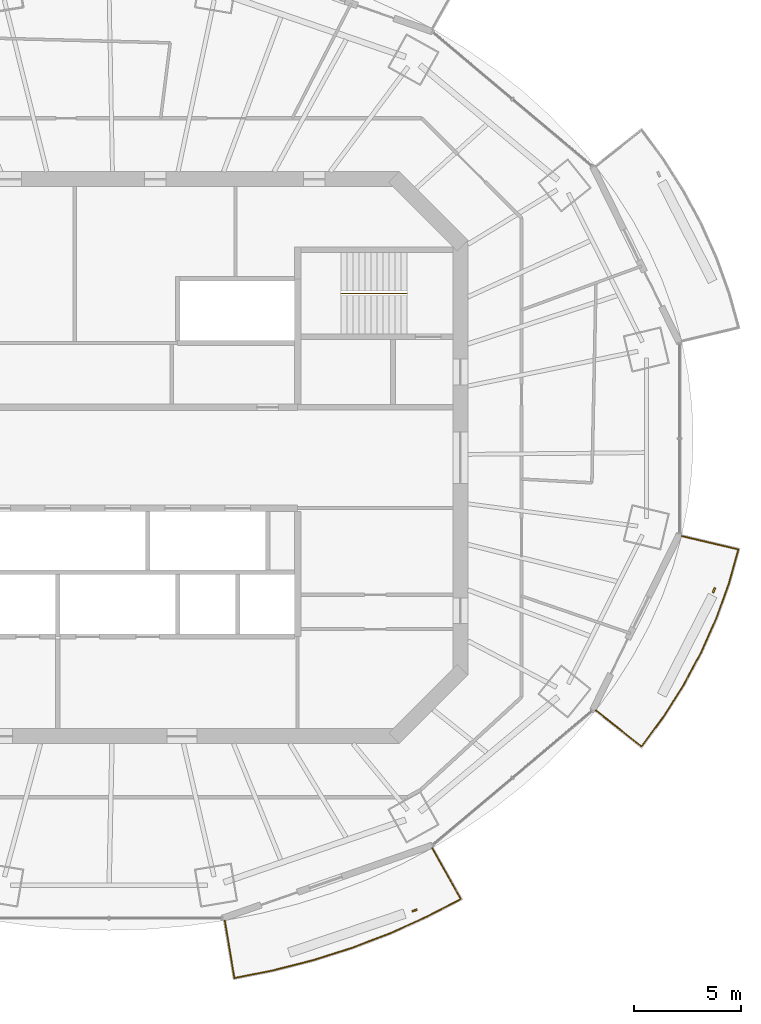
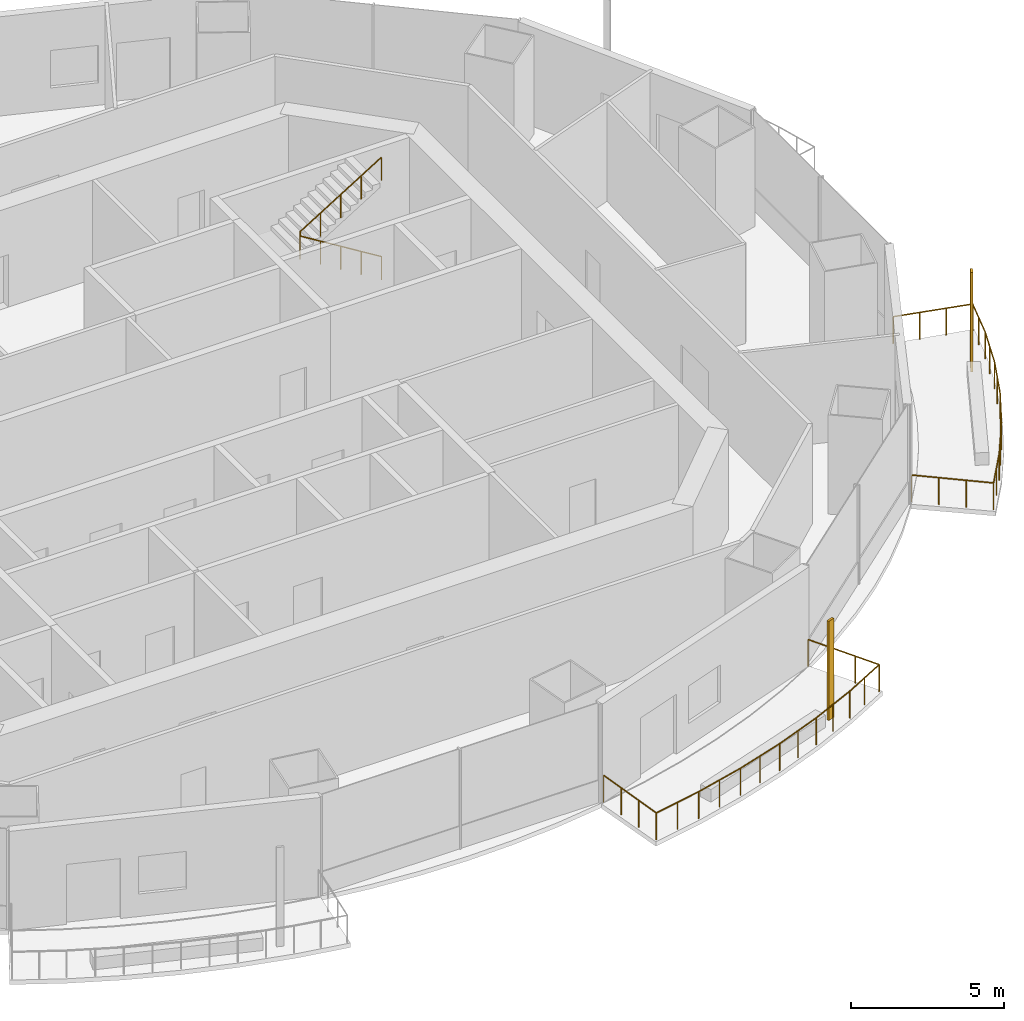
# One storey, part 13 of 16: 3 railings, 2 shading devices.
"""IFC4 building model written with IfcOpenShell, lengths in metres."""

import ifcopenshell
import ifcopenshell.guid

model = None  # the IFC model being written
_history = None  # IfcOwnerHistory: only IFC2X3 demands one
_inside = {}  # id of a spatial element -> (the spatial element, [elements in it])
_under = {}  # id of a project, library or spatial element -> (it, [spatial elements below it])
_declared = {}  # id of a project -> (the project, [libraries it declares])
_typed = {}  # id of a type object -> (the type object, [elements of that type])
_made_of = {}  # id of a material, layer set ... -> (it, [elements and type objects made of it])


def new_model(schema):
    """Start an empty IFC model of exactly this schema.

    Asked for "IFC4X3", IfcOpenShell would pick the latest addendum, in which some entities
    have other attributes; the version numbers below select the first issue.
    IFC2X3 requires an IfcOwnerHistory on every rooted entity: one is made here for all.
    """
    global model, _history
    if schema == "IFC4X3":
        model = ifcopenshell.file(schema_version=(4, 3, 0, 0))
    else:
        model = ifcopenshell.file(schema=schema)
    _inside.clear()
    _under.clear()
    _declared.clear()
    _typed.clear()
    _made_of.clear()
    _history = None
    if model.schema == "IFC2X3":
        org = make("IfcOrganization", Name="unknown")
        user = make(
            "IfcPersonAndOrganization",
            ThePerson=make("IfcPerson", FamilyName="unknown"),
            TheOrganization=org,
        )
        app = make(
            "IfcApplication",
            ApplicationDeveloper=org,
            Version="unknown",
            ApplicationFullName="unknown",
            ApplicationIdentifier="unknown",
        )
        _history = make(
            "IfcOwnerHistory",
            OwningUser=user,
            OwningApplication=app,
            ChangeAction="ADDED",
            CreationDate=0,
        )
    return model


def make(cls, **values):
    """One entity of the class cls with the attributes given. An attribute that is None is left unset."""
    return model.create_entity(
        cls, **{name: value for name, value in values.items() if value is not None}
    )


def rooted(cls, **values):
    """An entity with a GlobalId (a new one), such as an element, a storey or a relation."""
    return make(cls, GlobalId=ifcopenshell.guid.new(), OwnerHistory=_history, **values)


def si_unit(unit_type, name, prefix=None):
    """IfcSIUnit, for example si_unit("LENGTHUNIT", "METRE", prefix="MILLI")."""
    return make("IfcSIUnit", UnitType=unit_type, Prefix=prefix, Name=name)


def assignment(units):
    """IfcUnitAssignment: the units of a project."""
    return None if units is None else make("IfcUnitAssignment", Units=units)


def point(xyz):
    """IfcCartesianPoint."""
    return None if xyz is None else make("IfcCartesianPoint", Coordinates=xyz)


def direction(xyz):
    """IfcDirection."""
    return None if xyz is None else make("IfcDirection", DirectionRatios=xyz)


def frame(location, z_axis=None, x_axis=None):
    """IfcAxis2Placement3D, a coordinate frame: its origin and axes. An axis left out is left unset."""
    return make(
        "IfcAxis2Placement3D",
        Location=point(location),
        Axis=direction(z_axis),
        RefDirection=direction(x_axis),
    )


def frame_2d(location, x_axis=None):
    """IfcAxis2Placement2D, a coordinate frame in the plane: its origin and x axis."""
    return make(
        "IfcAxis2Placement2D", Location=point(location), RefDirection=direction(x_axis)
    )


def origin():
    """The frame at (0, 0, 0) with its axes left unset."""
    return frame((0.0, 0.0, 0.0))


def origin_2d():
    """The frame at (0, 0) in the plane with its x axis left unset."""
    return frame_2d((0.0, 0.0))


def place(relative_to, where):
    """IfcLocalPlacement: puts the frame where relative to a parent placement (None: the world)."""
    return make(
        "IfcLocalPlacement", PlacementRelTo=relative_to, RelativePlacement=where
    )


def context(
    kind, dimensions, precision=None, world=None, true_north=None, identifier=None
):
    """IfcGeometricRepresentationContext, for example the 3D "Model" context."""
    return make(
        "IfcGeometricRepresentationContext",
        ContextIdentifier=identifier,
        ContextType=kind,
        CoordinateSpaceDimension=dimensions,
        Precision=precision,
        WorldCoordinateSystem=world,
        TrueNorth=true_north,
    )


def subcontext(parent, identifier, kind, view, scale=None):
    """IfcGeometricRepresentationSubContext, for example "Body" below "Model"."""
    return make(
        "IfcGeometricRepresentationSubContext",
        ContextIdentifier=identifier,
        ContextType=kind,
        ParentContext=parent,
        TargetScale=scale,
        TargetView=view,
    )


def project(units=None, contexts=None):
    """IfcProject with its units and contexts."""
    return rooted(
        "IfcProject",
        Name="project",
        RepresentationContexts=contexts,
        UnitsInContext=assignment(units),
    )


def spatial(cls, under=None, at=None, **own):
    """A site, building, storey or space (cls), placed at a placement, below another one or the project."""
    s = rooted(cls, ObjectPlacement=at, **own)
    if under is not None:
        _under.setdefault(under.id(), (under, []))[1].append(s)
    return s


def profile(cls, at=None, kind="AREA", **sizes):
    """A parametric profile (cls). Its sizes go by their IFC names, for example OverallWidth=200.0."""
    return make(cls, ProfileType=kind, Position=at, **sizes)


def rectangle(**sizes):
    """IfcRectangleProfileDef."""
    return profile("IfcRectangleProfileDef", **sizes)


def circle(**sizes):
    """IfcCircleProfileDef."""
    return profile("IfcCircleProfileDef", **sizes)


def extrude(swept, where, along, depth):
    """IfcExtrudedAreaSolid: the profile swept, set in the frame where, extruded along a direction by depth."""
    return make(
        "IfcExtrudedAreaSolid",
        SweptArea=swept,
        Position=where,
        ExtrudedDirection=direction(along),
        Depth=depth,
    )


def shape(context_of_items, identifier, shape_type, items):
    """IfcShapeRepresentation: the items that make up one representation, for example the "Body"."""
    return make(
        "IfcShapeRepresentation",
        ContextOfItems=context_of_items,
        RepresentationIdentifier=identifier,
        RepresentationType=shape_type,
        Items=items,
    )


def material(Name=None, Category=None):
    """IfcMaterial."""
    return make("IfcMaterial", Name=Name, Category=Category)


def material_profile(
    of_material, cross_section, Name=None, Category=None, Priority=None
):
    """IfcMaterialProfile: a cross section and its material."""
    return make(
        "IfcMaterialProfile",
        Name=Name,
        Material=of_material,
        Profile=cross_section,
        Priority=Priority,
        Category=Category,
    )


def profile_set(profiles, Name=None, composite=None):
    """IfcMaterialProfileSet."""
    return make(
        "IfcMaterialProfileSet",
        Name=Name,
        MaterialProfiles=profiles,
        CompositeProfile=composite,
    )


def made_of(thing, what):
    """Note that an element or type object is made of a material, layer set ...; save() writes the relation."""
    if what is not None:
        _made_of.setdefault(what.id(), (what, []))[1].append(thing)
    return thing


def type_object(cls, material=None, **own):
    """A type object (cls), such as IfcWallType, which elements share."""
    return made_of(rooted(cls, **own), material)


def element(
    cls,
    number,
    at=None,
    inside=None,
    cuts=None,
    type_object=None,
    material=None,
    context=None,
    identifier="Body",
    shape_type=None,
    held_by="IfcProductDefinitionShape",
    body=None,
    shapes=None,
    **own,
):
    """One element of the class cls, such as IfcWall. Its Tag is "e" and its number.

    at: its placement. inside: the storey or other place that contains it. cuts: it is an
    opening in that element (IfcRelVoidsElement). A single representation is given by context,
    identifier, shape_type and body (its items); several are given by shapes. held_by: the class
    of the entity that holds the representations. save() writes the other relations.
    """
    e = rooted(cls, Tag="e%d" % number, ObjectPlacement=at, **own)
    if body is not None:
        shapes = [shape(context, identifier, shape_type, body)]
    if shapes is not None:
        e.Representation = make(held_by, Representations=shapes)
    if inside is not None:
        _inside.setdefault(inside.id(), (inside, []))[1].append(e)
    if cuts is not None:
        rooted(
            "IfcRelVoidsElement", RelatingBuildingElement=cuts, RelatedOpeningElement=e
        )
    if type_object is not None:
        _typed.setdefault(type_object.id(), (type_object, []))[1].append(e)
    return made_of(e, material)


def aggregate(whole, parts):
    """IfcRelAggregates: a whole, such as a stair, and the parts it consists of."""
    return rooted("IfcRelAggregates", RelatingObject=whole, RelatedObjects=parts)


def save(model, path):
    """Write the relations noted so far, then the file.

    IfcRelAggregates (storeys below a building ...), IfcRelContainedInSpatialStructure (elements
    in a storey), IfcRelDefinesByType, IfcRelAssociatesMaterial and IfcRelDeclares: one each for
    every whole, place, type object, material and project.
    """
    for whole, parts in _under.values():
        aggregate(whole, parts)
    for where, things in _inside.values():
        rooted(
            "IfcRelContainedInSpatialStructure",
            RelatedElements=things,
            RelatingStructure=where,
        )
    for kind, things in _typed.values():
        rooted("IfcRelDefinesByType", RelatedObjects=things, RelatingType=kind)
    for what, things in _made_of.values():
        rooted("IfcRelAssociatesMaterial", RelatedObjects=things, RelatingMaterial=what)
    for by, libraries in _declared.values():
        rooted("IfcRelDeclares", RelatingContext=by, RelatedDefinitions=libraries)
    model.write(path)


model = new_model("IFC4")

# Units and contexts
model_context = context("Model", 3, precision=1e-05, world=origin(), true_north=direction((0.0, 1.0)))
body_context = subcontext(model_context, "Body", "Model", "MODEL_VIEW")
ifc_project = project(units=[si_unit("LENGTHUNIT", "METRE"), si_unit("AREAUNIT", "SQUARE_METRE"), si_unit("VOLUMEUNIT", "CUBIC_METRE"), si_unit("PLANEANGLEUNIT", "RADIAN"), si_unit("MASSUNIT", "GRAM", prefix="KILO")], contexts=[model_context])

# Site, building, storey
site_placement = place(None, origin())
site = spatial("IfcSite", under=ifc_project, at=site_placement, CompositionType="ELEMENT")
building_placement = place(site_placement, origin())
building = spatial("IfcBuilding", under=site, at=building_placement, Name="Marenthal Gate Tower", CompositionType="ELEMENT")
storey_placement = place(building_placement, frame((0.0, 0.0, 342.60009765625)))
storey = spatial("IfcBuildingStorey", under=building, at=storey_placement, Name="L77", CompositionType="ELEMENT", Elevation=342.60009765625)

# Railings
ifc_material_1 = material(Name="Stainless steel", Category="steel")
railing_type_1 = type_object("IfcRailingType", Name="Balcony guard 1100", PredefinedType="GUARDRAIL", material=ifc_material_1)
railing_1_placement = place(storey_placement, frame((14.68017578125, -18.2314453125, 0.0)))
element("IfcRailing", 1, at=railing_1_placement, inside=storey, type_object=railing_type_1, Name="Balcony guard L77 bay 13", PredefinedType="GUARDRAIL", context=body_context, shape_type="SweptSolid", body=[
    extrude(circle(Radius=0.02392578125, at=origin_2d()), frame((0.0, 0.0, 1.076171875), z_axis=(0.490672529522, -0.87121972637, -0.014719278369), x_axis=(0.871314119703, 0.490725692018, 0.0)), (0.0, 0.0, 1.0), 2.72021484375),
    extrude(circle(Radius=0.02392578125, at=origin_2d()), frame((1.334716796875, -2.369873046875, 1.0361328125), z_axis=(-0.886478038646, -0.462770663503, 0.0), x_axis=(0.462770663503, -0.886478038646, 0.0)), (0.0, 0.0, 1.0), 1.793701171875),
    extrude(circle(Radius=0.02392578125, at=origin_2d()), frame((-0.25537109375, -3.199951171875, 1.0361328125), z_axis=(-0.91188517307, -0.410445405792, 0.0), x_axis=(0.410445405792, -0.91188517307, 0.0)), (0.0, 0.0, 1.0), 1.88623046875),
    extrude(circle(Radius=0.02392578125, at=origin_2d()), frame((-1.975341796875, -3.97412109375, 1.0361328125), z_axis=(-0.934293977025, -0.356503526623, 0.0), x_axis=(0.356503526623, -0.934293977025, 0.0)), (0.0, 0.0, 1.0), 1.897705078125),
    extrude(circle(Radius=0.02392578125, at=origin_2d()), frame((-3.748291015625, -4.650634765625, 1.0361328125), z_axis=(-0.953251321023, -0.302178620963, 0.0), x_axis=(0.302178620963, -0.953251321023, 0.0)), (0.0, 0.0, 1.0), 1.907470703125),
    extrude(circle(Radius=0.02392578125, at=origin_2d()), frame((-5.566650390625, -5.22705078125, 1.0361328125), z_axis=(-0.968878064997, -0.247538472096, 0.0), x_axis=(0.247538472096, -0.968878064997, 0.0)), (0.0, 0.0, 1.0), 1.916259765625),
    extrude(circle(Radius=0.02392578125, at=origin_2d()), frame((-7.42333984375, -5.701416015625, 1.0361328125), z_axis=(-0.9810465399, -0.193772254337, 0.0), x_axis=(0.193772254337, -0.9810465399, 0.0)), (0.0, 0.0, 1.0), 1.84326171875),
    extrude(circle(Radius=0.02392578125, at=origin_2d()), frame((-9.231689453125, -6.05859375, 1.0361328125), z_axis=(-0.165327157968, 0.986128927578, 0.014719681817), x_axis=(-0.986235776742, -0.165345071517, 0.0)), (0.0, 0.0, 1.0), 2.72021484375),
    extrude(circle(Radius=0.02099609375, at=origin_2d()), origin(), (0.0, 0.0, 1.0), 1.052001953125),
    extrude(circle(Radius=0.02099609375, at=origin_2d()), frame((0.44482421875, -0.7900390625, -0.013427734375)), (0.0, 0.0, 1.0), 1.052001953125),
    extrude(circle(Radius=0.02099609375, at=origin_2d()), frame((0.889892578125, -1.579833984375, -0.026611328125)), (0.0, 0.0, 1.0), 1.052001953125),
    extrude(circle(Radius=0.02099609375, at=origin_2d()), frame((1.334716796875, -2.369873046875, -0.0400390625)), (0.0, 0.0, 1.0), 1.052001953125),
    extrude(circle(Radius=0.02099609375, at=origin_2d()), frame((0.53955078125, -2.784912109375, -0.0400390625)), (0.0, 0.0, 1.0), 1.052001953125),
    extrude(circle(Radius=0.02099609375, at=origin_2d()), frame((-0.25537109375, -3.199951171875, -0.0400390625)), (0.0, 0.0, 1.0), 1.052001953125),
    extrude(circle(Radius=0.02099609375, at=origin_2d()), frame((-1.115234375, -3.5869140625, -0.0400390625)), (0.0, 0.0, 1.0), 1.052001953125),
    extrude(circle(Radius=0.02099609375, at=origin_2d()), frame((-1.975341796875, -3.97412109375, -0.0400390625)), (0.0, 0.0, 1.0), 1.052001953125),
    extrude(circle(Radius=0.02099609375, at=origin_2d()), frame((-2.86181640625, -4.3125, -0.0400390625)), (0.0, 0.0, 1.0), 1.052001953125),
    extrude(circle(Radius=0.02099609375, at=origin_2d()), frame((-3.748291015625, -4.650634765625, -0.0400390625)), (0.0, 0.0, 1.0), 1.052001953125),
    extrude(circle(Radius=0.02099609375, at=origin_2d()), frame((-4.657470703125, -4.93896484375, -0.0400390625)), (0.0, 0.0, 1.0), 1.052001953125),
    extrude(circle(Radius=0.02099609375, at=origin_2d()), frame((-5.566650390625, -5.22705078125, -0.0400390625)), (0.0, 0.0, 1.0), 1.052001953125),
    extrude(circle(Radius=0.02099609375, at=origin_2d()), frame((-6.4951171875, -5.46435546875, -0.0400390625)), (0.0, 0.0, 1.0), 1.052001953125),
    extrude(circle(Radius=0.02099609375, at=origin_2d()), frame((-7.42333984375, -5.701416015625, -0.0400390625)), (0.0, 0.0, 1.0), 1.052001953125),
    extrude(circle(Radius=0.02099609375, at=origin_2d()), frame((-8.32763671875, -5.8798828125, -0.0400390625)), (0.0, 0.0, 1.0), 1.052001953125),
    extrude(circle(Radius=0.02099609375, at=origin_2d()), frame((-9.231689453125, -6.05859375, -0.0400390625)), (0.0, 0.0, 1.0), 1.052001953125),
    extrude(circle(Radius=0.02099609375, at=origin_2d()), frame((-9.381591796875, -5.16455078125, -0.026611328125)), (0.0, 0.0, 1.0), 1.052001953125),
    extrude(circle(Radius=0.02099609375, at=origin_2d()), frame((-9.531494140625, -4.270263671875, -0.013427734375)), (0.0, 0.0, 1.0), 1.052001953125),
    extrude(circle(Radius=0.02099609375, at=origin_2d()), frame((-9.681396484375, -3.376220703125, 0.0)), (0.0, 0.0, 1.0), 1.052001953125),
])
railing_2_placement = place(storey_placement, frame((26.32666015625, -3.657470703125, 0.0)))
element("IfcRailing", 2, at=railing_2_placement, inside=storey, type_object=railing_type_1, Name="Balcony guard L77 bay 15", PredefinedType="GUARDRAIL", context=body_context, shape_type="SweptSolid", body=[
    extrude(circle(Radius=0.02392578125, at=origin_2d()), frame((0.0, 0.0, 1.076171875), z_axis=(0.97315730439, -0.229669790827, -0.014718970573), x_axis=(0.229694673631, 0.973262737859, 0.0)), (0.0, 0.0, 1.0), 2.72021484375),
    extrude(circle(Radius=0.02392578125, at=origin_2d()), frame((2.647216796875, -0.624755859375, 1.0361328125), z_axis=(-0.268600452735, -0.963251678841, 0.0), x_axis=(0.963251678841, -0.268600452735, 0.0)), (0.0, 0.0, 1.0), 1.645263671875),
    extrude(circle(Radius=0.02392578125, at=origin_2d()), frame((2.205322265625, -2.20947265625, 1.0361328125), z_axis=(-0.338924060667, -0.940813733478, 0.0), x_axis=(0.940813733478, -0.338924060667, 0.0)), (0.0, 0.0, 1.0), 1.732421875),
    extrude(circle(Radius=0.02392578125, at=origin_2d()), frame((1.6181640625, -3.83935546875, 1.0361328125), z_axis=(-0.40786794588, -0.91304092938, 0.0), x_axis=(0.91304092938, -0.40786794588, 0.0)), (0.0, 0.0, 1.0), 1.7412109375),
    extrude(circle(Radius=0.02392578125, at=origin_2d()), frame((0.907958984375, -5.42919921875, 1.0361328125), z_axis=(-0.473825554, -0.880618728155, 0.0), x_axis=(0.880618728155, -0.473825554, 0.0)), (0.0, 0.0, 1.0), 1.751953125),
    extrude(circle(Radius=0.02392578125, at=origin_2d()), frame((0.077880859375, -6.971923828125, 1.0361328125), z_axis=(-0.53589847601, -0.844282431068, 0.0), x_axis=(0.844282431068, -0.53589847601, 0.0)), (0.0, 0.0, 1.0), 1.76318359375),
    extrude(circle(Radius=0.02392578125, at=origin_2d()), frame((-0.866943359375, -8.46044921875, 1.0361328125), z_axis=(-0.592673479354, -0.805442826569, 0.0), x_axis=(0.805442826569, -0.592673479354, 0.0)), (0.0, 0.0, 1.0), 1.69580078125),
    extrude(circle(Radius=0.02392578125, at=origin_2d()), frame((-1.8720703125, -9.826416015625, 1.0361328125), z_axis=(-0.783613159988, 0.621074684128, 0.014719111011), x_axis=(-0.621141973669, -0.783698059553, 0.0)), (0.0, 0.0, 1.0), 2.72021484375),
    extrude(circle(Radius=0.02099609375, at=origin_2d()), origin(), (0.0, 0.0, 1.0), 1.052001953125),
    extrude(circle(Radius=0.02099609375, at=origin_2d()), frame((0.88232421875, -0.208251953125, -0.013427734375)), (0.0, 0.0, 1.0), 1.052001953125),
    extrude(circle(Radius=0.02099609375, at=origin_2d()), frame((1.764892578125, -0.41650390625, -0.026611328125)), (0.0, 0.0, 1.0), 1.052001953125),
    extrude(circle(Radius=0.02099609375, at=origin_2d()), frame((2.647216796875, -0.624755859375, -0.0400390625)), (0.0, 0.0, 1.0), 1.052001953125),
    extrude(circle(Radius=0.02099609375, at=origin_2d()), frame((2.42626953125, -1.4169921875, -0.0400390625)), (0.0, 0.0, 1.0), 1.052001953125),
    extrude(circle(Radius=0.02099609375, at=origin_2d()), frame((2.205322265625, -2.20947265625, -0.0400390625)), (0.0, 0.0, 1.0), 1.052001953125),
    extrude(circle(Radius=0.02099609375, at=origin_2d()), frame((1.91162109375, -3.0244140625, -0.0400390625)), (0.0, 0.0, 1.0), 1.052001953125),
    extrude(circle(Radius=0.02099609375, at=origin_2d()), frame((1.6181640625, -3.83935546875, -0.0400390625)), (0.0, 0.0, 1.0), 1.052001953125),
    extrude(circle(Radius=0.02099609375, at=origin_2d()), frame((1.26318359375, -4.63427734375, -0.0400390625)), (0.0, 0.0, 1.0), 1.052001953125),
    extrude(circle(Radius=0.02099609375, at=origin_2d()), frame((0.907958984375, -5.42919921875, -0.0400390625)), (0.0, 0.0, 1.0), 1.052001953125),
    extrude(circle(Radius=0.02099609375, at=origin_2d()), frame((0.492919921875, -6.20068359375, -0.0400390625)), (0.0, 0.0, 1.0), 1.052001953125),
    extrude(circle(Radius=0.02099609375, at=origin_2d()), frame((0.077880859375, -6.971923828125, -0.0400390625)), (0.0, 0.0, 1.0), 1.052001953125),
    extrude(circle(Radius=0.02099609375, at=origin_2d()), frame((-0.39453125, -7.71630859375, -0.0400390625)), (0.0, 0.0, 1.0), 1.052001953125),
    extrude(circle(Radius=0.02099609375, at=origin_2d()), frame((-0.866943359375, -8.46044921875, -0.0400390625)), (0.0, 0.0, 1.0), 1.052001953125),
    extrude(circle(Radius=0.02099609375, at=origin_2d()), frame((-1.36962890625, -9.1435546875, -0.0400390625)), (0.0, 0.0, 1.0), 1.052001953125),
    extrude(circle(Radius=0.02099609375, at=origin_2d()), frame((-1.8720703125, -9.826416015625, -0.0400390625)), (0.0, 0.0, 1.0), 1.052001953125),
    extrude(circle(Radius=0.02099609375, at=origin_2d()), frame((-2.58251953125, -9.26318359375, -0.026611328125)), (0.0, 0.0, 1.0), 1.052001953125),
    extrude(circle(Radius=0.02099609375, at=origin_2d()), frame((-3.293212890625, -8.7001953125, -0.013427734375)), (0.0, 0.0, 1.0), 1.052001953125),
    extrude(circle(Radius=0.02099609375, at=origin_2d()), frame((-4.003662109375, -8.136962890625, 0.0)), (0.0, 0.0, 1.0), 1.052001953125),
])
ifc_material_2 = material(Name="Stainless steel", Category="steel")
railing_type_2 = type_object("IfcRailingType", Name="Stair handrail", PredefinedType="HANDRAIL", material=ifc_material_2)
railing_3_placement = place(storey_placement, frame((13.5, 7.675048828125, 0.1728515625)))
element("IfcRailing", 3, at=railing_3_placement, inside=storey, type_object=railing_type_2, Name="Handrail ST3", PredefinedType="HANDRAIL", context=body_context, shape_type="SweptSolid", body=[
    extrude(circle(Radius=0.0224609375, at=origin_2d()), frame((0.0, 0.0, 0.927490234375), z_axis=(-0.850835241893, 0.0, 0.525432575268), x_axis=(0.0, -1.0, 0.0)), (0.0, 0.0, 1.0), 3.6201171875),
    extrude(circle(Radius=0.0224609375, at=origin_2d()), frame((-3.080078125, 0.0, 2.82958984375), z_axis=(0.0, 0.0, 1.0), x_axis=(1.0, 0.0, 0.0)), (0.0, 0.0, 1.0), 0.1728515625),
    extrude(circle(Radius=0.0224609375, at=origin_2d()), frame((-3.080078125, 0.0, 3.00244140625), z_axis=(0.850835241893, 0.0, 0.525432575268), x_axis=(0.0, 1.0, 0.0)), (0.0, 0.0, 1.0), 3.6201171875),
    extrude(circle(Radius=0.02001953125, at=origin_2d()), origin(), (0.0, 0.0, 1.0), 0.905029296875),
    extrude(circle(Radius=0.02001953125, at=origin_2d()), frame((-0.77001953125, 0.0, 0.4755859375)), (0.0, 0.0, 1.0), 0.905029296875),
    extrude(circle(Radius=0.02001953125, at=origin_2d()), frame((-1.5400390625, 0.0, 0.951171875)), (0.0, 0.0, 1.0), 0.905029296875),
    extrude(circle(Radius=0.02001953125, at=origin_2d()), frame((-2.31005859375, 0.0, 1.426513671875)), (0.0, 0.0, 1.0), 0.905029296875),
    extrude(circle(Radius=0.02001953125, at=origin_2d()), frame((-3.080078125, 0.0, 1.902099609375)), (0.0, 0.0, 1.0), 0.905029296875),
    extrude(circle(Radius=0.02001953125, at=origin_2d()), frame((-3.080078125, 0.0, 2.074951171875)), (0.0, 0.0, 1.0), 0.905029296875),
    extrude(circle(Radius=0.02001953125, at=origin_2d()), frame((-2.31005859375, 0.0, 2.550537109375)), (0.0, 0.0, 1.0), 0.905029296875),
    extrude(circle(Radius=0.02001953125, at=origin_2d()), frame((-1.5400390625, 0.0, 3.02587890625)), (0.0, 0.0, 1.0), 0.905029296875),
    extrude(circle(Radius=0.02001953125, at=origin_2d()), frame((-0.77001953125, 0.0, 3.50146484375)), (0.0, 0.0, 1.0), 0.905029296875),
    extrude(circle(Radius=0.02001953125, at=origin_2d()), frame((0.0, 0.0, 3.97705078125)), (0.0, 0.0, 1.0), 0.905029296875),
])

# Shading devices
ifc_material_3 = material(Name="Terracotta", Category="masonry")
ifc_material_profile = material_profile(ifc_material_3, rectangle(XDim=0.25, YDim=0.080078125, at=origin_2d()), Name="Terracotta baguette 250x80")
ifc_profile_set = profile_set([ifc_material_profile], Name="Terracotta")
shading_device_type = type_object("IfcShadingDeviceType", Name="Terracotta BAGUETTE SCREEN 250x80", PredefinedType="USERDEFINED", material=ifc_profile_set)
for number, where, z_axis, x_axis, name in (
    (4, (13.859130859375, -21.135498046875, -0.0400390625), (0.0, 0.0, 1.0), (0.944185799872, 0.329413380602, 0.0), "Terracotta BAGUETTE L77 bay 13R"),
    (5, (27.8369140625, -6.188720703125, -0.0400390625), (0.0, 0.0, 1.0), (0.441297921184, 0.897360654787, 0.0), "Terracotta BAGUETTE L77 bay 15R"),
):
    element("IfcShadingDevice", number, at=place(storey_placement, frame(where, z_axis=z_axis, x_axis=x_axis)), inside=storey, type_object=shading_device_type, Name=name, ObjectType="BAGUETTE SCREEN", PredefinedType="USERDEFINED", context=body_context, shape_type="SweptSolid", body=[
        extrude(rectangle(XDim=0.25, YDim=0.080078125, at=origin_2d()), origin(), (0.0, 0.0, 1.0), 3.969970703125),
    ])

save(model, "model.ifc")
